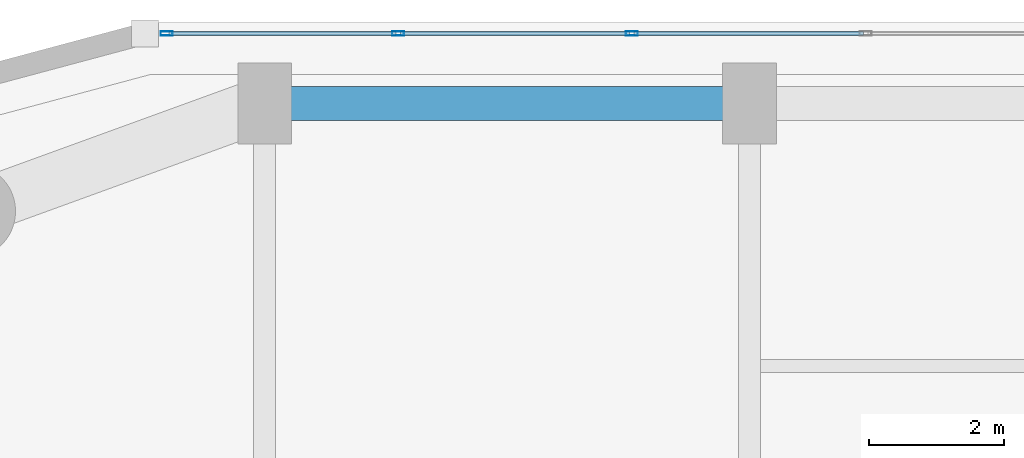
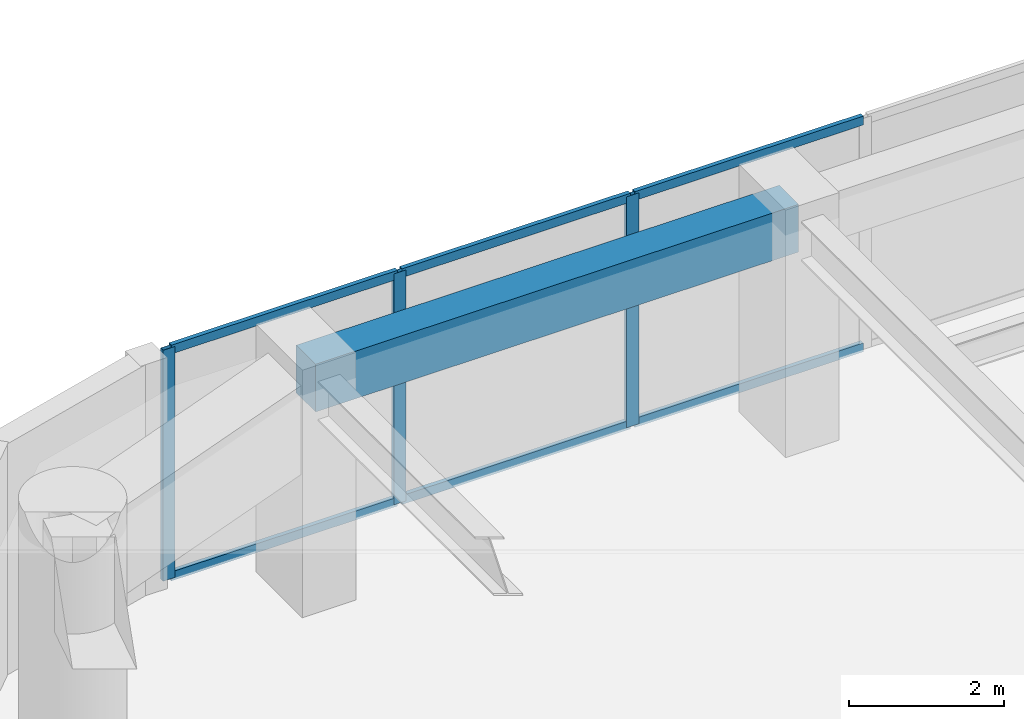
# One storey, part 13 of 24: 9 members, 1 beam, 1 element without a shape of its own.
"""IFC4 building model written with IfcOpenShell, lengths in metres."""

from ifc_helpers import new_model, si_unit, direction, frame, origin, origin_2d, place, context, subcontext, project, spatial, rectangle, hollow_rectangle, extrude, material, layer, layer_set, material_profile, profile_set, type_object, element, aggregate, save


model = new_model("IFC4")

# Units and contexts
model_context = context("Model", 3, precision=1e-05, world=origin(), true_north=direction((0.0, 1.0)))
body_context = subcontext(model_context, "Body", "Model", "MODEL_VIEW")
ifc_project = project(units=[si_unit("LENGTHUNIT", "METRE"), si_unit("AREAUNIT", "SQUARE_METRE"), si_unit("VOLUMEUNIT", "CUBIC_METRE"), si_unit("PLANEANGLEUNIT", "RADIAN"), si_unit("MASSUNIT", "GRAM", prefix="KILO")], contexts=[model_context])

# Site, building, storey
site_placement = place(None, origin())
site = spatial("IfcSite", under=ifc_project, at=site_placement, CompositionType="ELEMENT")
building_placement = place(site_placement, origin())
building = spatial("IfcBuilding", under=site, at=building_placement, Name="Kiyonajd Concourse Tower", CompositionType="ELEMENT")
storey_placement = place(building_placement, frame((0.0, 0.0, 93.60009765625)))
storey = spatial("IfcBuildingStorey", under=building, at=storey_placement, Name="L24", CompositionType="ELEMENT", Elevation=93.60009765625)

# Beam
ifc_material_1 = material(Name="Precast concrete C50/60", Category="concrete")
ifc_material_profile_1 = material_profile(ifc_material_1, rectangle(XDim=0.5, YDim=0.75, at=origin_2d()), Name="RCBM-500x750")
ifc_profile_set_1 = profile_set([ifc_material_profile_1], Name="Precast concrete C50/60")
beam_type = type_object("IfcBeamType", Name="BM-SPAN-RC", PredefinedType="SPANDREL", material=ifc_profile_set_1)
beam_placement = place(storey_placement, frame((32.39990234375, 61.199951171875, 3.264892578125), z_axis=(-1.0, 0.0, 0.0), x_axis=(0.0, -1.0, 0.0)))
element("IfcBeam", 1, at=beam_placement, inside=storey, type_object=beam_type, Name="L24 Perimeter Bundled Tube Spandrel", PredefinedType="SPANDREL", context=body_context, shape_type="SweptSolid", body=[
    extrude(rectangle(XDim=0.5, YDim=0.75, at=origin_2d()), origin(), (0.0, 0.0, 1.0), 7.199951171875),
])

# Curtain wall, members
ifc_material_2 = material(Name="Thermally Broken Anodised Aluminium", Category="aluminium")
ifc_layer = layer(ifc_material_2, 0.179931640625)
ifc_layer_set = layer_set([ifc_layer], Name="Thermally Broken Anodised Aluminium")
curtain_wall_type = type_object("IfcCurtainWallType", Name="CW-SYS-03", PredefinedType="NOTDEFINED", material=ifc_layer_set)
curtain_wall_placement = place(storey_placement, origin())
curtain_wall = element("IfcCurtainWall", 2, at=curtain_wall_placement, inside=storey, type_object=curtain_wall_type, Name="L24 Unitised Curtain Wall CW3", PredefinedType="NOTDEFINED")
ifc_material_profile_2 = material_profile(ifc_material_2, hollow_rectangle(XDim=0.06494140625, YDim=0.179931640625, WallThickness=0.00390625, at=origin_2d()), Name="MULL-65x180")
ifc_profile_set_2 = profile_set([ifc_material_profile_2], Name="Thermally Broken Anodised Aluminium")
member_type_1 = type_object("IfcMemberType", Name="MB-CW-MULL1", PredefinedType="MULLION", material=ifc_profile_set_2)
member_1_placement = place(storey_placement, frame((23.74365234375, 62.239990234375, 0.0), z_axis=(0.0, 0.0, 1.0), x_axis=(0.0, 1.0, 0.0)))
member_1 = element("IfcMember", 3, at=member_1_placement, type_object=member_type_1, Name="CW3 mullion 1", PredefinedType="MULLION", context=body_context, shape_type="SweptSolid", body=[
    extrude(hollow_rectangle(XDim=0.06494140625, YDim=0.179931640625, WallThickness=0.00390625, at=origin_2d()), origin(), (0.0, 0.0, 1.0), 3.639892578125),
])
member_2_placement = place(storey_placement, frame((27.181884765625, 62.239990234375, 0.0), z_axis=(0.0, 0.0, 1.0), x_axis=(0.0, 1.0, 0.0)))
member_2 = element("IfcMember", 4, at=member_2_placement, type_object=member_type_1, Name="CW3 mullion 2", PredefinedType="MULLION", context=body_context, shape_type="SweptSolid", body=[
    extrude(hollow_rectangle(XDim=0.06494140625, YDim=0.179931640625, WallThickness=0.00390625, at=origin_2d()), origin(), (0.0, 0.0, 1.0), 3.639892578125),
])
member_3_placement = place(storey_placement, frame((30.652587890625, 62.239990234375, 0.0), z_axis=(0.0, 0.0, 1.0), x_axis=(0.0, 1.0, 0.0)))
member_3 = element("IfcMember", 5, at=member_3_placement, type_object=member_type_1, Name="CW3 mullion 3", PredefinedType="MULLION", context=body_context, shape_type="SweptSolid", body=[
    extrude(hollow_rectangle(XDim=0.06494140625, YDim=0.179931640625, WallThickness=0.00390625, at=origin_2d()), origin(), (0.0, 0.0, 1.0), 3.639892578125),
])
ifc_material_profile_3 = material_profile(ifc_material_2, hollow_rectangle(XDim=0.06494140625, YDim=0.139892578125, WallThickness=0.00390625, at=origin_2d()), Name="TRAN-65x140")
ifc_profile_set_3 = profile_set([ifc_material_profile_3], Name="Thermally Broken Anodised Aluminium")
member_type_2 = type_object("IfcMemberType", Name="MB-CW-TRAN1", PredefinedType="USERDEFINED", material=ifc_profile_set_3)
member_4_placement = place(storey_placement, frame((23.776123046875, 62.239990234375, 0.032470703125), z_axis=(1.0, 0.0, 0.0), x_axis=(0.0, 1.0, 0.0)))
member_4 = element("IfcMember", 6, at=member_4_placement, type_object=member_type_2, Name="CW3 transom 1.1", ObjectType="TRANSOM", PredefinedType="USERDEFINED", context=body_context, shape_type="SweptSolid", body=[
    extrude(hollow_rectangle(XDim=0.06494140625, YDim=0.139892578125, WallThickness=0.00390625, at=origin_2d()), origin(), (0.0, 0.0, 1.0), 3.373291015625),
])
member_5_placement = place(storey_placement, frame((23.776123046875, 62.239990234375, 3.607421875), z_axis=(1.0, 0.0, 0.0), x_axis=(0.0, 1.0, 0.0)))
member_5 = element("IfcMember", 7, at=member_5_placement, type_object=member_type_2, Name="CW3 transom 1.2", ObjectType="TRANSOM", PredefinedType="USERDEFINED", context=body_context, shape_type="SweptSolid", body=[
    extrude(hollow_rectangle(XDim=0.06494140625, YDim=0.139892578125, WallThickness=0.00390625, at=origin_2d()), origin(), (0.0, 0.0, 1.0), 3.373291015625),
])
member_6_placement = place(storey_placement, frame((27.21435546875, 62.239990234375, 0.032470703125), z_axis=(1.0, 0.0, 0.0), x_axis=(0.0, 1.0, 0.0)))
member_6 = element("IfcMember", 8, at=member_6_placement, type_object=member_type_2, Name="CW3 transom 2.1", ObjectType="TRANSOM", PredefinedType="USERDEFINED", context=body_context, shape_type="SweptSolid", body=[
    extrude(hollow_rectangle(XDim=0.06494140625, YDim=0.139892578125, WallThickness=0.00390625, at=origin_2d()), origin(), (0.0, 0.0, 1.0), 3.40576171875),
])
member_7_placement = place(storey_placement, frame((27.21435546875, 62.239990234375, 3.607421875), z_axis=(1.0, 0.0, 0.0), x_axis=(0.0, 1.0, 0.0)))
member_7 = element("IfcMember", 9, at=member_7_placement, type_object=member_type_2, Name="CW3 transom 2.2", ObjectType="TRANSOM", PredefinedType="USERDEFINED", context=body_context, shape_type="SweptSolid", body=[
    extrude(hollow_rectangle(XDim=0.06494140625, YDim=0.139892578125, WallThickness=0.00390625, at=origin_2d()), origin(), (0.0, 0.0, 1.0), 3.40576171875),
])
member_8_placement = place(storey_placement, frame((30.68505859375, 62.239990234375, 0.032470703125), z_axis=(1.0, 0.0, 0.0), x_axis=(0.0, 1.0, 0.0)))
member_8 = element("IfcMember", 10, at=member_8_placement, type_object=member_type_2, Name="CW3 transom 3.1", ObjectType="TRANSOM", PredefinedType="USERDEFINED", context=body_context, shape_type="SweptSolid", body=[
    extrude(hollow_rectangle(XDim=0.06494140625, YDim=0.139892578125, WallThickness=0.00390625, at=origin_2d()), origin(), (0.0, 0.0, 1.0), 3.40576171875),
])
member_9_placement = place(storey_placement, frame((30.68505859375, 62.239990234375, 3.607421875), z_axis=(1.0, 0.0, 0.0), x_axis=(0.0, 1.0, 0.0)))
member_9 = element("IfcMember", 11, at=member_9_placement, type_object=member_type_2, Name="CW3 transom 3.2", ObjectType="TRANSOM", PredefinedType="USERDEFINED", context=body_context, shape_type="SweptSolid", body=[
    extrude(hollow_rectangle(XDim=0.06494140625, YDim=0.139892578125, WallThickness=0.00390625, at=origin_2d()), origin(), (0.0, 0.0, 1.0), 3.40576171875),
])
aggregate(curtain_wall, [member_1, member_2, member_3, member_4, member_5, member_6, member_7, member_8, member_9])

save(model, "model.ifc")
